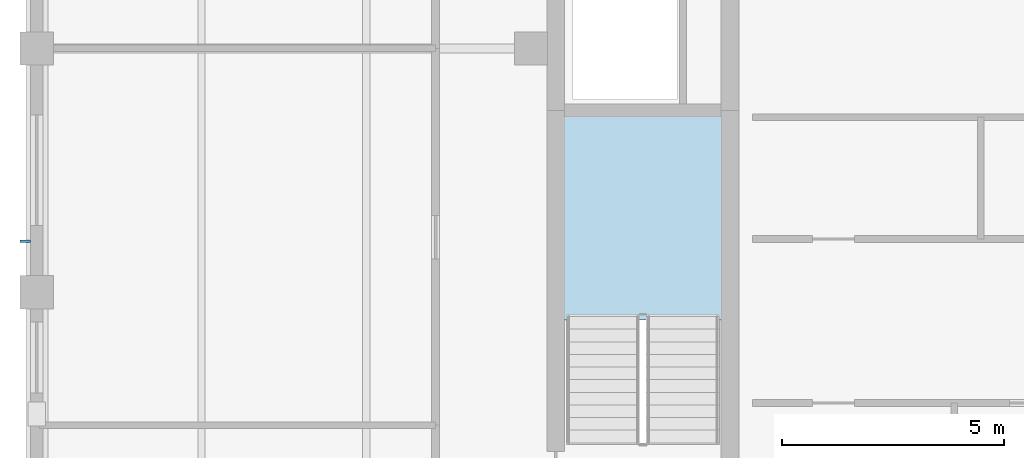
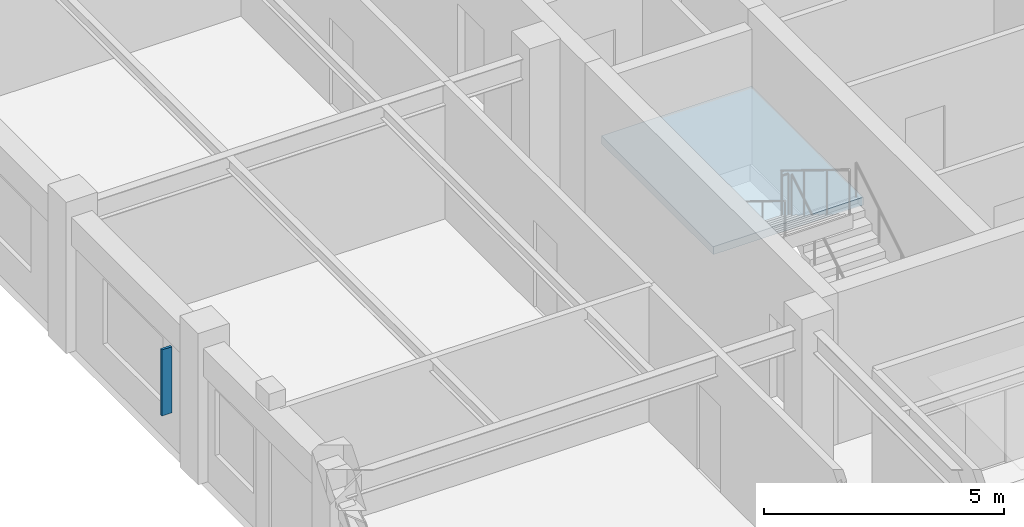
# One storey, part 2 of 10: 1 plate, 1 slab, 1 element without a shape of its own.
"""IFC4 building model written with IfcOpenShell, lengths in metres."""

from ifc_helpers import new_model, si_unit, direction, frame, origin, origin_2d, place, context, subcontext, project, spatial, polyline, rectangle, outline, extrude, material, layer, layer_set, type_object, element, aggregate, save


model = new_model("IFC4")

# Units and contexts
model_context = context("Model", 3, precision=1e-05, world=origin(), true_north=direction((0.0, 1.0)))
body_context = subcontext(model_context, "Body", "Model", "MODEL_VIEW")
ifc_project = project(units=[si_unit("LENGTHUNIT", "METRE"), si_unit("AREAUNIT", "SQUARE_METRE"), si_unit("VOLUMEUNIT", "CUBIC_METRE"), si_unit("PLANEANGLEUNIT", "RADIAN"), si_unit("MASSUNIT", "GRAM", prefix="KILO")], contexts=[model_context])

# Site, building, storey
site_placement = place(None, origin())
site = spatial("IfcSite", under=ifc_project, at=site_placement, CompositionType="ELEMENT")
building_placement = place(site_placement, origin())
building = spatial("IfcBuilding", under=site, at=building_placement, Name="Nhamokura Convention Tower", CompositionType="ELEMENT")
storey_placement = place(building_placement, frame((0.0, 0.0, 262.14990234375)))
storey = spatial("IfcBuildingStorey", under=building, at=storey_placement, Name="L64", CompositionType="ELEMENT", Elevation=262.14990234375)

# Plate
ifc_material_1 = material(Name="Anodised bronze aluminium AA6063-T6", Category="aluminium")
plate_type = type_object("IfcPlateType", Name="BronzeSolarFin_3", PredefinedType="USERDEFINED", material=ifc_material_1)
plate_placement = place(storey_placement, frame((9.239990234375, 27.64990234375, 0.85009765625), z_axis=(0.0, 0.0, 1.0), x_axis=(1.0, 0.0, 0.0)))
element("IfcPlate", 1, at=plate_placement, inside=storey, type_object=plate_type, Name="L64 Bronze Solar Shading Fin WEST 2", ObjectType="SOLAR_FIN", PredefinedType="USERDEFINED", context=body_context, shape_type="SweptSolid", body=[
    extrude(rectangle(XDim=0.239990234375, YDim=0.06005859375, at=origin_2d()), origin(), (0.0, 0.0, 1.0), 1.679931640625),
])

# Stair, slab
ifc_material_2 = material(Name="Concrete C40/50", Category="concrete")
stair_type = type_object("IfcStairType", Name="TowerCoreStair_1650", PredefinedType="HALF_TURN_STAIR", material=ifc_material_2)
stair_placement = place(storey_placement, origin())
stair = element("IfcStair", 2, at=stair_placement, inside=storey, type_object=stair_type, Name="L64 West Core Smokeproof Stair ST-01", PredefinedType="HALF_TURN_STAIR")
ifc_material_3 = material(Name="Concrete C40/50", Category="concrete")
ifc_layer = layer(ifc_material_3, 0.199951171875)
ifc_layer_set = layer_set([ifc_layer], Name="StairLandingSlab_200")
slab_type = type_object("IfcSlabType", Name="StairLandingSlab_200", PredefinedType="LANDING", material=ifc_layer_set)
slab_placement = place(storey_placement, frame((0.0, 0.0, 1.72509765625)))
slab = element("IfcSlab", 3, at=slab_placement, type_object=slab_type, Name="ST-01 landing 1", PredefinedType="LANDING", context=body_context, shape_type="SweptSolid", body=[
    extrude(outline(polyline([(24.97998046875, 25.8701171875), (24.97998046875, 30.530029296875), (21.3701171875, 30.530029296875), (21.3701171875, 25.8701171875), (24.97998046875, 25.8701171875)])), origin(), (0.0, 0.0, 1.0), 0.199951171875),
])
aggregate(stair, [slab])

save(model, "model.ifc")
